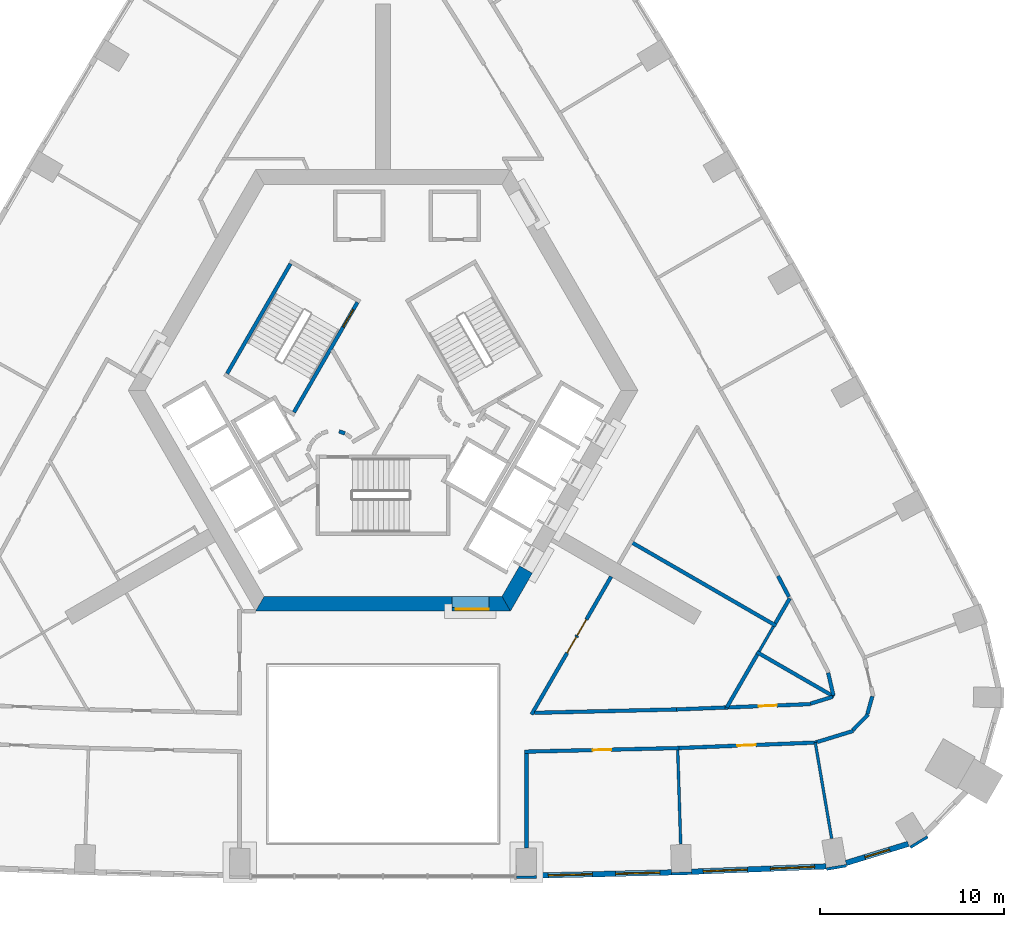
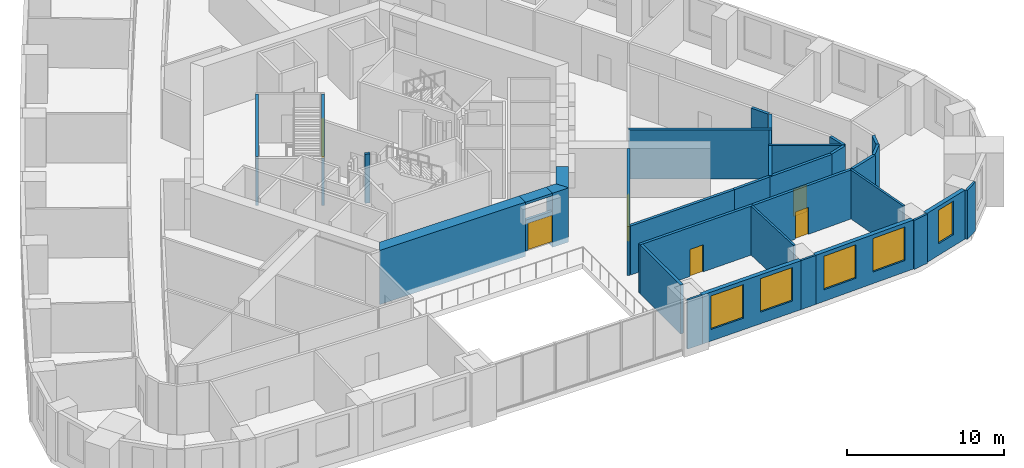
# One storey, part 6 of 12: 35 walls, 7 doors, 5 windows, 12 openings.
"""IFC4 building model written with IfcOpenShell, lengths in metres."""

from ifc_helpers import new_model, si_unit, direction, frame, frame_2d, origin, place, context, subcontext, project, spatial, polyline, rectangle, outline, extrude, material, layer, layer_set, type_object, element, fill, save


model = new_model("IFC4")

# Units and contexts
model_context = context("Model", 3, precision=1e-05, world=origin(), true_north=direction((0.0, 1.0)))
body_context = subcontext(model_context, "Body", "Model", "MODEL_VIEW")
ifc_project = project(units=[si_unit("LENGTHUNIT", "METRE"), si_unit("AREAUNIT", "SQUARE_METRE"), si_unit("VOLUMEUNIT", "CUBIC_METRE"), si_unit("PLANEANGLEUNIT", "RADIAN"), si_unit("MASSUNIT", "GRAM", prefix="KILO")], contexts=[model_context])

# Site, building, storey
site_placement = place(None, origin())
site = spatial("IfcSite", under=ifc_project, at=site_placement, CompositionType="ELEMENT")
building_placement = place(site_placement, origin())
building = spatial("IfcBuilding", under=site, at=building_placement, Name="Entoto Arch Interchange Tower", CompositionType="ELEMENT")
storey_placement = place(building_placement, frame((0.0, 0.0, 142.39990234375)))
storey = spatial("IfcBuildingStorey", under=building, at=storey_placement, Name="L31", CompositionType="ELEMENT", Elevation=142.39990234375)

# Wall, opening, door
ifc_material_1 = material(Name="Reinforced concrete C40/50", Category="concrete")
ifc_layer_1 = layer(ifc_material_1, 0.199951171875)
ifc_layer_set_1 = layer_set([ifc_layer_1], Name="Reinforced concrete C40/50")
wall_type_1 = type_object("IfcWallType", Name="CORE GAP INFILL WALL", PredefinedType="PARTITIONING", material=ifc_layer_set_1)
wall_1_placement = place(storey_placement, frame((3.75, -9.39990234375, 0.0), z_axis=(0.0, 0.0, 1.0), x_axis=(1.0, 0.0, 0.0)))
wall_1 = element("IfcWall", 1, at=wall_1_placement, inside=storey, type_object=wall_type_1, Name="wall:L31:gap1", PredefinedType="PARTITIONING", context=body_context, shape_type="SweptSolid", body=[
    extrude(rectangle(XDim=2.0, YDim=0.199951171875, at=frame_2d((1.0, 0.0))), origin(), (0.0, 0.0, 1.0), 2.400146484375),
])
opening_1_placement = place(wall_1_placement, frame((0.18994140625, 0.0, 0.0)))
opening_1 = element("IfcOpeningElement", 2, at=opening_1_placement, cuts=wall_1, Name="Opening L31-D91", PredefinedType="OPENING", context=body_context, shape_type="SweptSolid", body=[
    extrude(rectangle(XDim=1.800048828125, YDim=2.10009765625, at=frame_2d((0.89990234375, 1.050048828125))), frame((0.0, 0.10986328125, 0.0), z_axis=(0.0, -1.0, 0.0), x_axis=(1.0, 0.0, 0.0)), (0.0, 0.0, 1.0), 0.219970703125),
])
ifc_material_2 = material(Name="Fire-rated Steel S235 door and frame", Category="steel")
door_type_1 = type_object("IfcDoorType", Name="DOOR FD-18 1800x2100", OperationType="DOUBLE_DOOR_SINGLE_SWING", PredefinedType="DOOR", material=ifc_material_2)
door_1_placement = place(opening_1_placement, origin())
door_1 = element("IfcDoor", 3, at=door_1_placement, inside=storey, type_object=door_type_1, Name="door:L31:gap1", OperationType="DOUBLE_DOOR_SINGLE_SWING", OverallHeight=2.10009765625, OverallWidth=1.800048828125, PredefinedType="DOOR", context=body_context, shape_type="SweptSolid", body=[
    extrude(rectangle(XDim=1.800048828125, YDim=2.10009765625, at=frame_2d((0.89990234375, 1.050048828125))), frame((0.0, 0.02490234375, 0.0), z_axis=(0.0, -1.0, 0.0), x_axis=(1.0, 0.0, 0.0)), (0.0, 0.0, 1.0), 0.050048828125),
])
fill(opening_1, door_1)

# Walls
ifc_material_3 = material(Name="Concrete C50/60", Category="concrete")
ifc_layer_2 = layer(ifc_material_3, 0.800048828125)
ifc_layer_set_2 = layer_set([ifc_layer_2], Name="Concrete C50/60")
wall_type_2 = type_object("IfcWallType", Name="Core wall 800 C50/60", PredefinedType="SHEAR", material=ifc_layer_set_2)
wall_2_placement = place(storey_placement, frame((0.0, 0.0, -0.39990234375)))
element("IfcWall", 4, at=wall_2_placement, inside=storey, type_object=wall_type_2, Name="Core wall S L31", PredefinedType="SHEAR", context=body_context, shape_type="SweptSolid", body=[
    extrude(outline(polyline([(3.75, -9.5), (3.75, -8.699951171875), (-6.466064453125, -8.699951171875), (-6.927978515625, -9.5), (3.75, -9.5)])), origin(), (0.0, 0.0, 1.0), 4.199951171875),
])
wall_3_placement = place(storey_placement, frame((0.0, 0.0, -0.39990234375)))
element("IfcWall", 5, at=wall_3_placement, inside=storey, type_object=wall_type_2, Name="Core wall S L31", PredefinedType="SHEAR", context=body_context, shape_type="SweptSolid", body=[
    extrude(outline(polyline([(5.75, -8.699951171875), (5.75, -9.5), (6.927978515625, -9.5), (6.466064453125, -8.699951171875), (5.75, -8.699951171875)])), origin(), (0.0, 0.0, 1.0), 4.199951171875),
])
wall_4_placement = place(storey_placement, frame((0.0, 0.0, 3.60009765625)))
element("IfcWall", 6, at=wall_4_placement, inside=storey, type_object=wall_type_2, Name="Core wall lintel S L31", PredefinedType="SHEAR", context=body_context, shape_type="SweptSolid", body=[
    extrude(outline(polyline([(5.75, -9.5), (5.75, -8.699951171875), (3.75, -8.699951171875), (3.75, -9.5), (5.75, -9.5)])), origin(), (0.0, 0.0, 1.0), 0.199951171875),
])
wall_5_placement = place(storey_placement, frame((0.0, 0.0, -0.39990234375)))
element("IfcWall", 7, at=wall_5_placement, inside=storey, type_object=wall_type_2, Name="Core wall SE L31", PredefinedType="SHEAR", context=body_context, shape_type="SweptSolid", body=[
    extrude(outline(polyline([(8.116943359375, -7.43994140625), (7.424072265625, -7.0400390625), (6.466064453125, -8.699951171875), (6.927978515625, -9.5), (8.116943359375, -7.43994140625)])), origin(), (0.0, 0.0, 1.0), 4.199951171875),
])
ifc_material_4 = material(Name="Gypsum board partition on steel studs", Category="steel")
ifc_layer_3 = layer(ifc_material_4, 0.14990234375)
ifc_layer_set_3 = layer_set([ifc_layer_3], Name="Gypsum board partition on steel studs")
wall_type_3 = type_object("IfcWallType", Name="PARTITION 150", PredefinedType="PARTITIONING", material=ifc_layer_set_3)
wall_6_placement = place(storey_placement, frame((21.22802734375, -10.3310546875, 0.0), z_axis=(0.0, 0.0, 1.0), x_axis=(-0.499920861661, -0.866071089505, 0.0)))
element("IfcWall", 8, at=wall_6_placement, inside=storey, type_object=wall_type_3, Name="wall:L31:p111", PredefinedType="PARTITIONING", context=body_context, shape_type="SweptSolid", body=[
    extrude(rectangle(XDim=1.562255859375, YDim=0.14990234375, at=frame_2d((0.78125, 0.0))), origin(), (0.0, 0.0, 1.0), 3.800048828125),
])
wall_7_placement = place(storey_placement, frame((16.01806640625, -17.044921875, 0.0), z_axis=(0.0, 0.0, 1.0), x_axis=(0.031744385759, -0.999496019988, 0.0)))
element("IfcWall", 9, at=wall_7_placement, inside=storey, type_object=wall_type_3, Name="wall:L31:p123", PredefinedType="PARTITIONING", context=body_context, shape_type="SweptSolid", body=[
    extrude(rectangle(XDim=5.1298828125, YDim=0.14990234375, at=frame_2d((2.56494140625, 0.0))), origin(), (0.0, 0.0, 1.0), 3.800048828125),
])
wall_8_placement = place(storey_placement, frame((23.498046875, -16.64599609375, 0.0), z_axis=(0.0, 0.0, 1.0), x_axis=(0.168275674737, -0.985739974482, 0.0)))
element("IfcWall", 10, at=wall_8_placement, inside=storey, type_object=wall_type_3, Name="wall:L31:p124", PredefinedType="PARTITIONING", context=body_context, shape_type="SweptSolid", body=[
    extrude(rectangle(XDim=5.288330078125, YDim=0.14990234375, at=frame_2d((2.64404296875, 0.0))), origin(), (0.0, 0.0, 1.0), 3.800048828125),
])
ifc_layer_4 = layer(ifc_material_4, 0.199951171875)
ifc_layer_set_4 = layer_set([ifc_layer_4], Name="Gypsum board partition on steel studs")
wall_type_4 = type_object("IfcWallType", Name="PARTITION 200", PredefinedType="PARTITIONING", material=ifc_layer_set_4)
wall_9_placement = place(storey_placement, frame((8.222900390625, -15.029052734375, 0.0), z_axis=(0.0, 0.0, 1.0), x_axis=(0.99971920994, 0.023696018186, 0.0)))
element("IfcWall", 11, at=wall_9_placement, inside=storey, type_object=wall_type_4, Name="wall:L31:p013", PredefinedType="PARTITIONING", context=body_context, shape_type="SweptSolid", body=[
    extrude(rectangle(XDim=7.727294921875, YDim=0.199951171875, at=frame_2d((3.86376953125, 0.0))), origin(), (0.0, 0.0, 1.0), 3.800048828125),
])
wall_10_placement = place(storey_placement, frame((15.947998046875, -14.845947265625, 0.0), z_axis=(0.0, 0.0, 1.0), x_axis=(0.999208477774, 0.039779617206, 0.0)))
element("IfcWall", 12, at=wall_10_placement, inside=storey, type_object=wall_type_4, Name="wall:L31:p014", PredefinedType="PARTITIONING", context=body_context, shape_type="SweptSolid", body=[
    extrude(rectangle(XDim=2.63916015625, YDim=0.199951171875, at=frame_2d((1.319580078125, 0.0))), origin(), (0.0, 0.0, 1.0), 3.800048828125),
])
wall_11_placement = place(storey_placement, frame((22.06298828125, -8.717041015625, 0.0), z_axis=(0.0, 0.0, 1.0), x_axis=(-0.463776683525, 0.885952136302, 0.0)))
element("IfcWall", 13, at=wall_11_placement, inside=storey, type_object=wall_type_4, Name="wall:L31:p015", PredefinedType="PARTITIONING", context=body_context, shape_type="SweptSolid", body=[
    extrude(rectangle(XDim=1.267578125, YDim=0.199951171875, at=frame_2d((0.6337890625, 0.0))), origin(), (0.0, 0.0, 1.0), 3.800048828125),
])

# Wall, opening, door
wall_12_placement = place(storey_placement, frame((18.5849609375, -14.740966796875, 0.0), z_axis=(0.0, 0.0, 1.0), x_axis=(0.99920304932, 0.039915739113, 0.0)))
wall_12 = element("IfcWall", 14, at=wall_12_placement, inside=storey, type_object=wall_type_4, Name="wall:L31:p018", PredefinedType="PARTITIONING", context=body_context, shape_type="SweptSolid", body=[
    extrude(rectangle(XDim=4.66064453125, YDim=0.199951171875, at=frame_2d((2.330322265625, 0.0))), origin(), (0.0, 0.0, 1.0), 3.800048828125),
])
opening_2_placement = place(wall_12_placement, frame((1.830078125, 0.0, 0.0)))
opening_2 = element("IfcOpeningElement", 15, at=opening_2_placement, cuts=wall_12, Name="Opening L31-D21", PredefinedType="OPENING", context=body_context, shape_type="SweptSolid", body=[
    extrude(rectangle(XDim=1.0, YDim=2.10009765625, at=frame_2d((0.5, 1.050048828125))), frame((0.0, 0.10986328125, 0.0), z_axis=(0.0, -1.0, 0.0), x_axis=(1.0, 0.0, 0.0)), (0.0, 0.0, 1.0), 0.219970703125),
])
ifc_material_5 = material(Name="Timber door leaf in Steel S235 frame", Category="steel")
door_type_2 = type_object("IfcDoorType", Name="DOOR DS-10 1000x2100", OperationType="SINGLE_SWING_LEFT", PredefinedType="DOOR", material=ifc_material_5)
door_2_placement = place(opening_2_placement, origin())
door_2 = element("IfcDoor", 16, at=door_2_placement, inside=storey, type_object=door_type_2, Name="door:L31:21", OperationType="SINGLE_SWING_LEFT", OverallHeight=2.10009765625, OverallWidth=1.0, PredefinedType="DOOR", context=body_context, shape_type="SweptSolid", body=[
    extrude(rectangle(XDim=1.0, YDim=2.10009765625, at=frame_2d((0.5, 1.050048828125))), frame((0.0, 0.02490234375, 0.0), z_axis=(0.0, -1.0, 0.0), x_axis=(1.0, 0.0, 0.0)), (0.0, 0.0, 1.0), 0.050048828125),
])
fill(opening_2, door_2)

# Walls
wall_13_placement = place(storey_placement, frame((23.238037109375, -14.529052734375, 0.0), z_axis=(0.0, 0.0, 1.0), x_axis=(0.956086269468, 0.293085389152, 0.0)))
element("IfcWall", 17, at=wall_13_placement, inside=storey, type_object=wall_type_4, Name="wall:L31:p019", PredefinedType="PARTITIONING", context=body_context, shape_type="SweptSolid", body=[
    extrude(rectangle(XDim=1.251953125, YDim=0.199951171875, at=frame_2d((0.6259765625, 0.0))), origin(), (0.0, 0.0, 1.0), 3.800048828125),
])
wall_14_placement = place(storey_placement, frame((24.48193359375, -14.0810546875, 0.0), z_axis=(0.0, 0.0, 1.0), x_axis=(-0.223967203961, 0.974596681479, 0.0)))
element("IfcWall", 18, at=wall_14_placement, inside=storey, type_object=wall_type_4, Name="wall:L31:p020", PredefinedType="PARTITIONING", context=body_context, shape_type="SweptSolid", body=[
    extrude(rectangle(XDim=1.259033203125, YDim=0.199951171875, at=frame_2d((0.62939453125, 0.0))), origin(), (0.0, 0.0, 1.0), 3.800048828125),
])

# Wall, opening, door
wall_15_placement = place(storey_placement, frame((16.090087890625, -16.943115234375, 0.0), z_axis=(0.0, 0.0, 1.0), x_axis=(-0.999721662071, -0.023592337425, 0.0)))
wall_15 = element("IfcWall", 19, at=wall_15_placement, inside=storey, type_object=wall_type_4, Name="wall:L31:p032", PredefinedType="PARTITIONING", context=body_context, shape_type="SweptSolid", body=[
    extrude(rectangle(XDim=8.392578125, YDim=0.199951171875, at=frame_2d((4.1962890625, 0.0))), origin(), (0.0, 0.0, 1.0), 3.800048828125),
])
opening_3_placement = place(wall_15_placement, frame((3.696044921875, 0.0, 0.0)))
opening_3 = element("IfcOpeningElement", 20, at=opening_3_placement, cuts=wall_15, Name="Opening L31-D01", PredefinedType="OPENING", context=body_context, shape_type="SweptSolid", body=[
    extrude(rectangle(XDim=1.0, YDim=2.10009765625, at=frame_2d((0.5, 1.050048828125))), frame((0.0, 0.10986328125, 0.0), z_axis=(0.0, -1.0, 0.0), x_axis=(1.0, 0.0, 0.0)), (0.0, 0.0, 1.0), 0.219970703125),
])
door_3_placement = place(opening_3_placement, origin())
door_3 = element("IfcDoor", 21, at=door_3_placement, inside=storey, type_object=door_type_2, Name="door:L31:01", OperationType="SINGLE_SWING_RIGHT", OverallHeight=2.10009765625, OverallWidth=1.0, PredefinedType="DOOR", context=body_context, shape_type="SweptSolid", body=[
    extrude(rectangle(XDim=1.0, YDim=2.10009765625, at=frame_2d((0.5, 1.050048828125))), frame((0.0, 0.02490234375, 0.0), z_axis=(0.0, -1.0, 0.0), x_axis=(1.0, 0.0, 0.0)), (0.0, 0.0, 1.0), 0.050048828125),
])
fill(opening_3, door_3)

wall_16_placement = place(storey_placement, frame((23.597900390625, -16.64208984375, 0.0), z_axis=(0.0, 0.0, 1.0), x_axis=(-0.999203655486, -0.039900562205, 0.0)))
wall_16 = element("IfcWall", 22, at=wall_16_placement, inside=storey, type_object=wall_type_4, Name="wall:L31:p033", PredefinedType="PARTITIONING", context=body_context, shape_type="SweptSolid", body=[
    extrude(rectangle(XDim=7.513916015625, YDim=0.199951171875, at=frame_2d((3.7568359375, 0.0))), origin(), (0.0, 0.0, 1.0), 3.800048828125),
])
opening_4_placement = place(wall_16_placement, frame((3.33203125, 0.0, 0.0)))
opening_4 = element("IfcOpeningElement", 23, at=opening_4_placement, cuts=wall_16, Name="Opening L31-D02", PredefinedType="OPENING", context=body_context, shape_type="SweptSolid", body=[
    extrude(rectangle(XDim=1.0, YDim=2.10009765625, at=frame_2d((0.5, 1.050048828125))), frame((0.0, 0.10986328125, 0.0), z_axis=(0.0, -1.0, 0.0), x_axis=(1.0, 0.0, 0.0)), (0.0, 0.0, 1.0), 0.219970703125),
])
door_4_placement = place(opening_4_placement, origin())
door_4 = element("IfcDoor", 24, at=door_4_placement, inside=storey, type_object=door_type_2, Name="door:L31:02", OperationType="SINGLE_SWING_LEFT", OverallHeight=2.10009765625, OverallWidth=1.0, PredefinedType="DOOR", context=body_context, shape_type="SweptSolid", body=[
    extrude(rectangle(XDim=1.0, YDim=2.10009765625, at=frame_2d((0.5, 1.050048828125))), frame((0.0, 0.02490234375, 0.0), z_axis=(0.0, -1.0, 0.0), x_axis=(1.0, 0.0, 0.0)), (0.0, 0.0, 1.0), 0.050048828125),
])
fill(opening_4, door_4)

# Walls
wall_17_placement = place(storey_placement, frame((26.59912109375, -14.132080078125, 0.0), z_axis=(0.0, 0.0, 1.0), x_axis=(-0.270631784819, -0.962682936925, 0.0)))
element("IfcWall", 25, at=wall_17_placement, inside=storey, type_object=wall_type_4, Name="wall:L31:p035", PredefinedType="PARTITIONING", context=body_context, shape_type="SweptSolid", body=[
    extrude(rectangle(XDim=0.994140625, YDim=0.199951171875, at=frame_2d((0.4970703125, 0.0))), origin(), (0.0, 0.0, 1.0), 3.800048828125),
])
wall_18_placement = place(storey_placement, frame((26.373046875, -15.114013671875, 0.0), z_axis=(0.0, 0.0, 1.0), x_axis=(-0.698272822523, -0.715831729756, 0.0)))
element("IfcWall", 26, at=wall_18_placement, inside=storey, type_object=wall_type_4, Name="wall:L31:p036", PredefinedType="PARTITIONING", context=body_context, shape_type="SweptSolid", body=[
    extrude(rectangle(XDim=1.19580078125, YDim=0.199951171875, at=frame_2d((0.597900390625, 0.0))), origin(), (0.0, 0.0, 1.0), 3.800048828125),
])
wall_19_placement = place(storey_placement, frame((25.56298828125, -16.011962890625, 0.0), z_axis=(0.0, 0.0, 1.0), x_axis=(-0.955896815358, -0.293702704087, 0.0)))
element("IfcWall", 27, at=wall_19_placement, inside=storey, type_object=wall_type_4, Name="wall:L31:p037", PredefinedType="PARTITIONING", context=body_context, shape_type="SweptSolid", body=[
    extrude(rectangle(XDim=2.059814453125, YDim=0.199951171875, at=frame_2d((1.02978515625, 0.0))), origin(), (0.0, 0.0, 1.0), 3.800048828125),
])
wall_20_placement = place(storey_placement, frame((-2.070068359375, 0.159912109375, 0.0), z_axis=(0.0, 0.0, 1.0), x_axis=(-0.942199461132, 0.335052496547, 0.0)))
element("IfcWall", 28, at=wall_20_placement, inside=storey, type_object=wall_type_4, Name="wall:L31:p098", PredefinedType="PARTITIONING", context=body_context, shape_type="SweptSolid", body=[
    extrude(rectangle(XDim=0.33740234375, YDim=0.199951171875, at=frame_2d((0.168701171875, 0.0))), origin(), (0.0, 0.0, 1.0), 3.800048828125),
])
wall_21_placement = place(storey_placement, frame((7.800048828125, -17.239013671875, 0.0), z_axis=(0.0, 0.0, 1.0), x_axis=(0.0, -1.0, 0.0)))
element("IfcWall", 29, at=wall_21_placement, inside=storey, type_object=wall_type_4, Name="wall:L31:p105", PredefinedType="PARTITIONING", context=body_context, shape_type="SweptSolid", body=[
    extrude(rectangle(XDim=5.132080078125, YDim=0.199951171875, at=frame_2d((2.56591796875, 0.0))), origin(), (0.0, 0.0, 1.0), 3.800048828125),
])
wall_22_placement = place(storey_placement, frame((13.485107421875, -5.743896484375, 0.0), z_axis=(0.0, 0.0, 1.0), x_axis=(0.865950545648, -0.500129635687, 0.0)))
element("IfcWall", 30, at=wall_22_placement, inside=storey, type_object=wall_type_4, Name="wall:L31:p109", PredefinedType="PARTITIONING", context=body_context, shape_type="SweptSolid", body=[
    extrude(rectangle(XDim=9.099609375, YDim=0.199951171875, at=frame_2d((4.5498046875, 0.0))), origin(), (0.0, 0.0, 1.0), 3.800048828125),
])
wall_23_placement = place(storey_placement, frame((20.346923828125, -11.85791015625, 0.0), z_axis=(0.0, 0.0, 1.0), x_axis=(-0.49990681678, -0.866079196458, 0.0)))
element("IfcWall", 31, at=wall_23_placement, inside=storey, type_object=wall_type_4, Name="wall:L31:p110", PredefinedType="PARTITIONING", context=body_context, shape_type="SweptSolid", body=[
    extrude(rectangle(XDim=3.324462890625, YDim=0.199951171875, at=frame_2d((1.662109375, 0.0))), origin(), (0.0, 0.0, 1.0), 3.800048828125),
])
wall_24_placement = place(storey_placement, frame((22.10888671875, -8.804931640625, 0.0), z_axis=(0.0, 0.0, 1.0), x_axis=(-0.499920861661, -0.866071089505, 0.0)))
element("IfcWall", 32, at=wall_24_placement, inside=storey, type_object=wall_type_4, Name="wall:L31:p112", PredefinedType="PARTITIONING", context=body_context, shape_type="SweptSolid", body=[
    extrude(rectangle(XDim=1.562255859375, YDim=0.199951171875, at=frame_2d((0.78125, 0.0))), origin(), (0.0, 0.0, 1.0), 3.800048828125),
])
wall_25_placement = place(storey_placement, frame((20.31005859375, -11.720947265625, 0.0), z_axis=(0.0, 0.0, 1.0), x_axis=(0.86603399059, -0.499985126921, 0.0)))
element("IfcWall", 33, at=wall_25_placement, inside=storey, type_object=wall_type_4, Name="wall:L31:p113", PredefinedType="PARTITIONING", context=body_context, shape_type="SweptSolid", body=[
    extrude(rectangle(XDim=4.854248046875, YDim=0.199951171875, at=frame_2d((2.42724609375, 0.0))), origin(), (0.0, 0.0, 1.0), 3.800048828125),
])

# Wall, openings, doors
wall_26_placement = place(storey_placement, frame((12.40087890625, -7.62109375, 0.0), z_axis=(0.0, 0.0, 1.0), x_axis=(-0.499964151829, -0.866046099747, 0.0)))
wall_26 = element("IfcWall", 34, at=wall_26_placement, inside=storey, type_object=wall_type_4, Name="wall:L31:p107", PredefinedType="PARTITIONING", context=body_context, shape_type="SweptSolid", body=[
    extrude(rectangle(XDim=8.656494140625, YDim=0.199951171875, at=frame_2d((4.328125, 0.0))), origin(), (0.0, 0.0, 1.0), 3.800048828125),
])
opening_5_placement = place(wall_26_placement, frame((2.694091796875, 0.0, 0.0)))
opening_5 = element("IfcOpeningElement", 35, at=opening_5_placement, cuts=wall_26, Name="Opening L31-D19", PredefinedType="OPENING", context=body_context, shape_type="SweptSolid", body=[
    extrude(rectangle(XDim=1.0, YDim=2.10009765625, at=frame_2d((0.5, 1.050048828125))), frame((0.0, 0.10986328125, 0.0), z_axis=(0.0, -1.0, 0.0), x_axis=(1.0, 0.0, 0.0)), (0.0, 0.0, 1.0), 0.219970703125),
])
opening_6_placement = place(wall_26_placement, frame((3.7939453125, 0.0, 0.0)))
opening_6 = element("IfcOpeningElement", 36, at=opening_6_placement, cuts=wall_26, Name="Opening L31-D37", PredefinedType="OPENING", context=body_context, shape_type="SweptSolid", body=[
    extrude(rectangle(XDim=1.0, YDim=2.10009765625, at=frame_2d((0.5, 1.050048828125))), frame((0.0, 0.10986328125, 0.0), z_axis=(0.0, -1.0, 0.0), x_axis=(1.0, 0.0, 0.0)), (0.0, 0.0, 1.0), 0.219970703125),
])
door_5_placement = place(opening_5_placement, origin())
door_5 = element("IfcDoor", 37, at=door_5_placement, inside=storey, type_object=door_type_2, Name="door:L31:19", OperationType="SINGLE_SWING_LEFT", OverallHeight=2.10009765625, OverallWidth=1.0, PredefinedType="DOOR", context=body_context, shape_type="SweptSolid", body=[
    extrude(rectangle(XDim=1.0, YDim=2.10009765625, at=frame_2d((0.5, 1.050048828125))), frame((0.0, 0.02490234375, 0.0), z_axis=(0.0, -1.0, 0.0), x_axis=(1.0, 0.0, 0.0)), (0.0, 0.0, 1.0), 0.050048828125),
])
fill(opening_5, door_5)
door_6_placement = place(opening_6_placement, origin())
door_6 = element("IfcDoor", 38, at=door_6_placement, inside=storey, type_object=door_type_2, Name="door:L31:37", OperationType="SINGLE_SWING_RIGHT", OverallHeight=2.10009765625, OverallWidth=1.0, PredefinedType="DOOR", context=body_context, shape_type="SweptSolid", body=[
    extrude(rectangle(XDim=1.0, YDim=2.10009765625, at=frame_2d((0.5, 1.050048828125))), frame((0.0, 0.02490234375, 0.0), z_axis=(0.0, -1.0, 0.0), x_axis=(1.0, 0.0, 0.0)), (0.0, 0.0, 1.0), 0.050048828125),
])
fill(opening_6, door_6)

# Wall, opening, door
ifc_material_6 = material(Name="Concrete C40/50", Category="concrete")
ifc_layer_5 = layer(ifc_material_6, 0.199951171875)
ifc_layer_set_5 = layer_set([ifc_layer_5], Name="Concrete C40/50")
wall_type_5 = type_object("IfcWallType", Name="STAIR ENCLOSURE WALL 200", PredefinedType="STANDARD", material=ifc_layer_set_5)
wall_27_placement = place(storey_placement, frame((-1.39306640625, 7.2880859375, 0.0), z_axis=(0.0, 0.0, 1.0), x_axis=(-0.499963383562, -0.866046543262, 0.0)))
wall_27 = element("IfcWall", 39, at=wall_27_placement, inside=storey, type_object=wall_type_5, Name="Stair wall ST-NW hall", PredefinedType="STANDARD", context=body_context, shape_type="SweptSolid", body=[
    extrude(rectangle(XDim=6.900390625, YDim=0.199951171875, at=frame_2d((3.4501953125, 0.0))), origin(), (0.0, 0.0, 1.0), 3.800048828125),
])
opening_7_placement = place(wall_27_placement, frame((0.449951171875, 0.0, 0.0)))
opening_7 = element("IfcOpeningElement", 40, at=opening_7_placement, cuts=wall_27, Name="Opening SD-ST-NW-L31", PredefinedType="OPENING", context=body_context, shape_type="SweptSolid", body=[
    extrude(rectangle(XDim=1.10009765625, YDim=2.199951171875, at=frame_2d((0.550048828125, 1.10009765625))), frame((0.0, 0.10986328125, 0.0), z_axis=(0.0, -1.0, 0.0), x_axis=(1.0, 0.0, 0.0)), (0.0, 0.0, 1.0), 0.219970703125),
])
ifc_material_7 = material(Name="Steel S235", Category="steel")
door_type_3 = type_object("IfcDoorType", Name="STAIR DOOR SD1 1100x2200", OperationType="SINGLE_SWING_LEFT", PredefinedType="DOOR", material=ifc_material_7)
door_7_placement = place(opening_7_placement, origin())
door_7 = element("IfcDoor", 41, at=door_7_placement, inside=storey, type_object=door_type_3, Name="Stair door ST-NW L31", OperationType="SINGLE_SWING_LEFT", OverallHeight=2.199951171875, OverallWidth=1.10009765625, PredefinedType="DOOR", context=body_context, shape_type="SweptSolid", body=[
    extrude(rectangle(XDim=1.10009765625, YDim=2.199951171875, at=frame_2d((0.550048828125, 1.10009765625))), frame((0.0, 0.02490234375, 0.0), z_axis=(0.0, -1.0, 0.0), x_axis=(1.0, 0.0, 0.0)), (0.0, 0.0, 1.0), 0.050048828125),
])
fill(opening_7, door_7)

# Wall
wall_28_placement = place(storey_placement, frame((-5.030029296875, 9.387939453125, 0.0), z_axis=(0.0, 0.0, 1.0), x_axis=(-0.499978703459, -0.866037698999, 0.0)))
element("IfcWall", 42, at=wall_28_placement, inside=storey, type_object=wall_type_5, Name="Stair wall ST-NW back", PredefinedType="STANDARD", context=body_context, shape_type="SweptSolid", body=[
    extrude(rectangle(XDim=6.900146484375, YDim=0.199951171875, at=frame_2d((3.4501953125, 0.0))), origin(), (0.0, 0.0, 1.0), 3.800048828125),
])

# Wall, openings, windows
ifc_material_8 = material(Name="Welded tuff (ignimbrite) cladding, warm buff", Category="masonry")
ifc_layer_6 = layer(ifc_material_8, 0.300048828125)
ifc_layer_set_6 = layer_set([ifc_layer_6], Name="Welded tuff (ignimbrite) cladding, warm buff")
wall_type_6 = type_object("IfcWallType", Name="STONE INFILL WALL 300", PredefinedType="STANDARD", material=ifc_layer_set_6)
wall_29_placement = place(storey_placement, frame((8.346923828125, -23.8779296875, 0.0), z_axis=(0.0, 0.0, 1.0), x_axis=(0.999722302867, 0.023565168146, 0.0)))
wall_29 = element("IfcWall", 43, at=wall_29_placement, inside=storey, type_object=wall_type_6, Name="Facade wall S-04 L31", PredefinedType="STANDARD", context=body_context, shape_type="SweptSolid", body=[
    extrude(rectangle(XDim=7.3349609375, YDim=0.300048828125, at=frame_2d((3.66748046875, 0.0))), origin(), (0.0, 0.0, 1.0), 3.800048828125),
])
opening_8_placement = place(wall_29_placement, frame((0.634033203125, 0.0, 0.89990234375)))
opening_8 = element("IfcOpeningElement", 44, at=opening_8_placement, cuts=wall_29, Name="Opening WO-A", PredefinedType="OPENING", context=body_context, shape_type="SweptSolid", body=[
    extrude(rectangle(XDim=2.39990234375, YDim=2.60009765625, at=frame_2d((1.199951171875, 1.300048828125))), frame((0.0, 0.16015625, 0.0), z_axis=(0.0, -1.0, 0.0), x_axis=(1.0, 0.0, 0.0)), (0.0, 0.0, 1.0), 0.320068359375),
])
opening_9_placement = place(wall_29_placement, frame((4.301025390625, 0.0, 0.89990234375)))
opening_9 = element("IfcOpeningElement", 45, at=opening_9_placement, cuts=wall_29, Name="Opening WO-A", PredefinedType="OPENING", context=body_context, shape_type="SweptSolid", body=[
    extrude(rectangle(XDim=2.39990234375, YDim=2.60009765625, at=frame_2d((1.199951171875, 1.300048828125))), frame((0.0, 0.16015625, 0.0), z_axis=(0.0, -1.0, 0.0), x_axis=(1.0, 0.0, 0.0)), (0.0, 0.0, 1.0), 0.320068359375),
])
ifc_material_9 = material(Name="Clear glass, low-e double glazed", Category="glass")
window_type_1 = type_object("IfcWindowType", Name="WINDOW WO-A 2400x2600", PartitioningType="DOUBLE_PANEL_VERTICAL", PredefinedType="WINDOW", material=ifc_material_9)
window_1_placement = place(opening_8_placement, origin())
window_1 = element("IfcWindow", 46, at=window_1_placement, inside=storey, type_object=window_type_1, Name="Window WO-A S-04 L31", OverallHeight=2.60009765625, OverallWidth=2.39990234375, PartitioningType="SINGLE_PANEL", PredefinedType="WINDOW", context=body_context, shape_type="SweptSolid", body=[
    extrude(rectangle(XDim=2.39990234375, YDim=2.60009765625, at=frame_2d((1.199951171875, 1.300048828125))), frame((0.0, 0.030029296875, 0.0), z_axis=(0.0, -1.0, 0.0), x_axis=(1.0, 0.0, 0.0)), (0.0, 0.0, 1.0), 0.06005859375),
])
fill(opening_8, window_1)
window_2_placement = place(opening_9_placement, origin())
window_2 = element("IfcWindow", 47, at=window_2_placement, inside=storey, type_object=window_type_1, Name="Window WO-A S-04 L31", OverallHeight=2.60009765625, OverallWidth=2.39990234375, PartitioningType="SINGLE_PANEL", PredefinedType="WINDOW", context=body_context, shape_type="SweptSolid", body=[
    extrude(rectangle(XDim=2.39990234375, YDim=2.60009765625, at=frame_2d((1.199951171875, 1.300048828125))), frame((0.0, 0.030029296875, 0.0), z_axis=(0.0, -1.0, 0.0), x_axis=(1.0, 0.0, 0.0)), (0.0, 0.0, 1.0), 0.06005859375),
])
fill(opening_9, window_2)

wall_30_placement = place(storey_placement, frame((16.778076171875, -23.669921875, 0.0), z_axis=(0.0, 0.0, 1.0), x_axis=(0.999203621229, 0.039901420066, 0.0)))
wall_30 = element("IfcWall", 48, at=wall_30_placement, inside=storey, type_object=wall_type_6, Name="Facade wall S-05 L31", PredefinedType="STANDARD", context=body_context, shape_type="SweptSolid", body=[
    extrude(rectangle(XDim=7.31787109375, YDim=0.300048828125, at=frame_2d((3.658935546875, 0.0))), origin(), (0.0, 0.0, 1.0), 3.800048828125),
])
opening_10_placement = place(wall_30_placement, frame((0.62890625, 0.0, 0.89990234375)))
opening_10 = element("IfcOpeningElement", 49, at=opening_10_placement, cuts=wall_30, Name="Opening WO-A", PredefinedType="OPENING", context=body_context, shape_type="SweptSolid", body=[
    extrude(rectangle(XDim=2.39990234375, YDim=2.60009765625, at=frame_2d((1.199951171875, 1.300048828125))), frame((0.0, 0.16015625, 0.0), z_axis=(0.0, -1.0, 0.0), x_axis=(1.0, 0.0, 0.0)), (0.0, 0.0, 1.0), 0.320068359375),
])
opening_11_placement = place(wall_30_placement, frame((4.2880859375, 0.0, 0.89990234375)))
opening_11 = element("IfcOpeningElement", 50, at=opening_11_placement, cuts=wall_30, Name="Opening WO-A", PredefinedType="OPENING", context=body_context, shape_type="SweptSolid", body=[
    extrude(rectangle(XDim=2.39990234375, YDim=2.60009765625, at=frame_2d((1.199951171875, 1.300048828125))), frame((0.0, 0.16015625, 0.0), z_axis=(0.0, -1.0, 0.0), x_axis=(1.0, 0.0, 0.0)), (0.0, 0.0, 1.0), 0.320068359375),
])
window_3_placement = place(opening_10_placement, origin())
window_3 = element("IfcWindow", 51, at=window_3_placement, inside=storey, type_object=window_type_1, Name="Window WO-A S-05 L31", OverallHeight=2.60009765625, OverallWidth=2.39990234375, PartitioningType="SINGLE_PANEL", PredefinedType="WINDOW", context=body_context, shape_type="SweptSolid", body=[
    extrude(rectangle(XDim=2.39990234375, YDim=2.60009765625, at=frame_2d((1.199951171875, 1.300048828125))), frame((0.0, 0.030029296875, 0.0), z_axis=(0.0, -1.0, 0.0), x_axis=(1.0, 0.0, 0.0)), (0.0, 0.0, 1.0), 0.06005859375),
])
fill(opening_10, window_3)
window_4_placement = place(opening_11_placement, origin())
window_4 = element("IfcWindow", 52, at=window_4_placement, inside=storey, type_object=window_type_1, Name="Window WO-A S-05 L31", OverallHeight=2.60009765625, OverallWidth=2.39990234375, PartitioningType="SINGLE_PANEL", PredefinedType="WINDOW", context=body_context, shape_type="SweptSolid", body=[
    extrude(rectangle(XDim=2.39990234375, YDim=2.60009765625, at=frame_2d((1.199951171875, 1.300048828125))), frame((0.0, 0.030029296875, 0.0), z_axis=(0.0, -1.0, 0.0), x_axis=(1.0, 0.0, 0.0)), (0.0, 0.0, 1.0), 0.06005859375),
])
fill(opening_11, window_4)

# Wall, opening, window
wall_31_placement = place(storey_placement, frame((25.173095703125, -23.193115234375, 0.0), z_axis=(0.0, 0.0, 1.0), x_axis=(0.955874475611, 0.293775402094, 0.0)))
wall_31 = element("IfcWall", 53, at=wall_31_placement, inside=storey, type_object=wall_type_6, Name="Facade wall SE-01 L31", PredefinedType="STANDARD", context=body_context, shape_type="SweptSolid", body=[
    extrude(rectangle(XDim=3.536865234375, YDim=0.300048828125, at=frame_2d((1.7685546875, 0.0))), origin(), (0.0, 0.0, 1.0), 3.800048828125),
])
opening_12_placement = place(wall_31_placement, frame((1.069091796875, 0.0, 0.89990234375)))
opening_12 = element("IfcOpeningElement", 54, at=opening_12_placement, cuts=wall_31, Name="Opening WO-B", PredefinedType="OPENING", context=body_context, shape_type="SweptSolid", body=[
    extrude(rectangle(XDim=1.39990234375, YDim=2.60009765625, at=frame_2d((0.699951171875, 1.300048828125))), frame((0.0, 0.16015625, 0.0), z_axis=(0.0, -1.0, 0.0), x_axis=(1.0, 0.0, 0.0)), (0.0, 0.0, 1.0), 0.320068359375),
])
window_type_2 = type_object("IfcWindowType", Name="WINDOW WO-B 1400x2600", PartitioningType="DOUBLE_PANEL_VERTICAL", PredefinedType="WINDOW", material=ifc_material_9)
window_5_placement = place(opening_12_placement, origin())
window_5 = element("IfcWindow", 55, at=window_5_placement, inside=storey, type_object=window_type_2, Name="Window WO-B SE-01 L31", OverallHeight=2.60009765625, OverallWidth=1.39990234375, PartitioningType="SINGLE_PANEL", PredefinedType="WINDOW", context=body_context, shape_type="SweptSolid", body=[
    extrude(rectangle(XDim=1.39990234375, YDim=2.60009765625, at=frame_2d((0.699951171875, 1.300048828125))), frame((0.0, 0.030029296875, 0.0), z_axis=(0.0, -1.0, 0.0), x_axis=(1.0, 0.0, 0.0)), (0.0, 0.0, 1.0), 0.06005859375),
])
fill(opening_12, window_5)

# Walls
ifc_layer_7 = layer(ifc_material_8, 0.14990234375)
ifc_layer_set_7 = layer_set([ifc_layer_7], Name="Welded tuff (ignimbrite) cladding, warm buff")
wall_type_7 = type_object("IfcWallType", Name="STONE PIER CLADDING 150", PredefinedType="STANDARD", material=ifc_layer_set_7)
wall_32_placement = place(storey_placement, frame((7.2490234375, -23.971923828125, 0.0), z_axis=(0.0, 0.0, 1.0), x_axis=(0.999940879068, 0.010873746799, 0.0)))
element("IfcWall", 56, at=wall_32_placement, inside=storey, type_object=wall_type_7, Name="Stone pier S04 L31", PredefinedType="STANDARD", context=body_context, shape_type="SweptSolid", body=[
    extrude(rectangle(XDim=1.10009765625, YDim=0.14990234375, at=frame_2d((0.550048828125, 0.0))), origin(), (0.0, 0.0, 1.0), 3.800048828125),
])
wall_33_placement = place(storey_placement, frame((15.681884765625, -23.783935546875, 0.0), z_axis=(0.0, 0.0, 1.0), x_axis=(0.999523702549, 0.030860460829, 0.0)))
element("IfcWall", 57, at=wall_33_placement, inside=storey, type_object=wall_type_7, Name="Stone pier S05 L31", PredefinedType="STANDARD", context=body_context, shape_type="SweptSolid", body=[
    extrude(rectangle(XDim=1.099609375, YDim=0.14990234375, at=frame_2d((0.5498046875, 0.0))), origin(), (0.0, 0.0, 1.0), 3.800048828125),
])
wall_34_placement = place(storey_placement, frame((24.114013671875, -23.52392578125, 0.0), z_axis=(0.0, 0.0, 1.0), x_axis=(0.985800082077, 0.167923191299, 0.0)))
element("IfcWall", 58, at=wall_34_placement, inside=storey, type_object=wall_type_7, Name="Stone pier S06 L31", PredefinedType="STANDARD", context=body_context, shape_type="SweptSolid", body=[
    extrude(rectangle(XDim=1.1005859375, YDim=0.14990234375, at=frame_2d((0.55029296875, 0.0))), origin(), (0.0, 0.0, 1.0), 3.800048828125),
])
wall_35_placement = place(storey_placement, frame((28.6669921875, -22.342041015625, 0.0), z_axis=(0.0, 0.0, 1.0), x_axis=(0.854005542721, 0.520263907071, 0.0)))
element("IfcWall", 59, at=wall_35_placement, inside=storey, type_object=wall_type_7, Name="Stone pier SE1 L31", PredefinedType="STANDARD", context=body_context, shape_type="SweptSolid", body=[
    extrude(rectangle(XDim=1.099365234375, YDim=0.14990234375, at=frame_2d((0.5498046875, 0.0))), origin(), (0.0, 0.0, 1.0), 3.800048828125),
])

save(model, "model.ifc")
